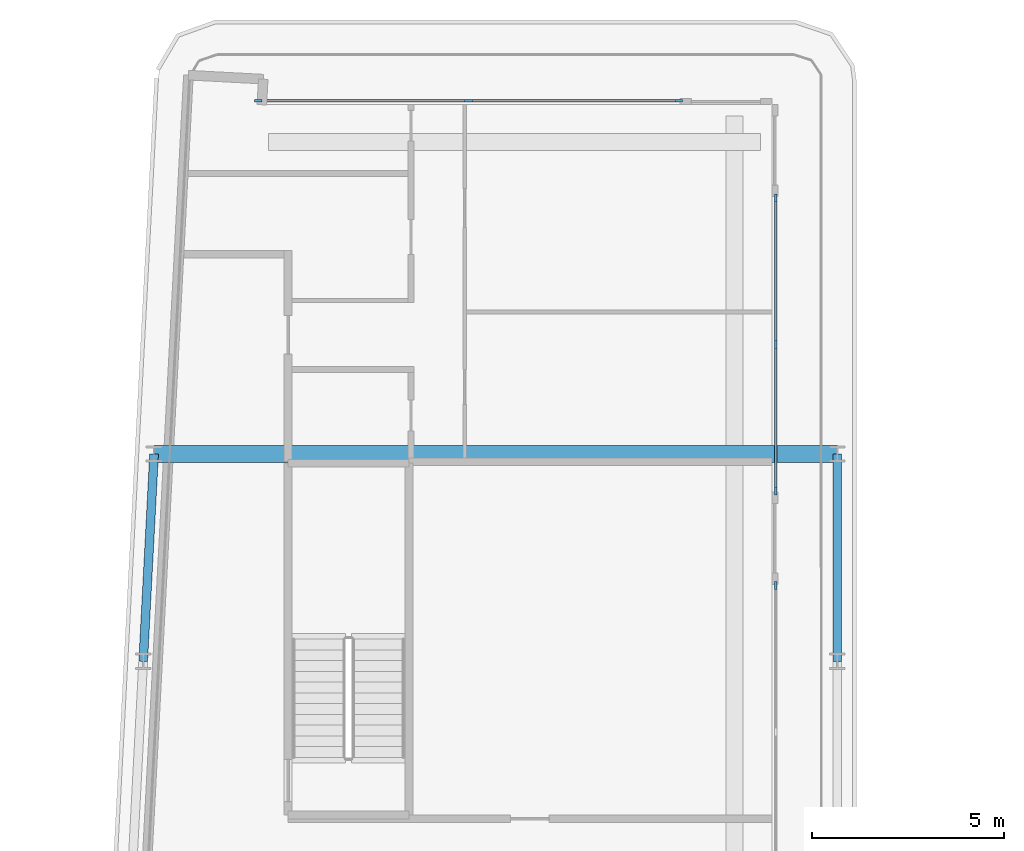
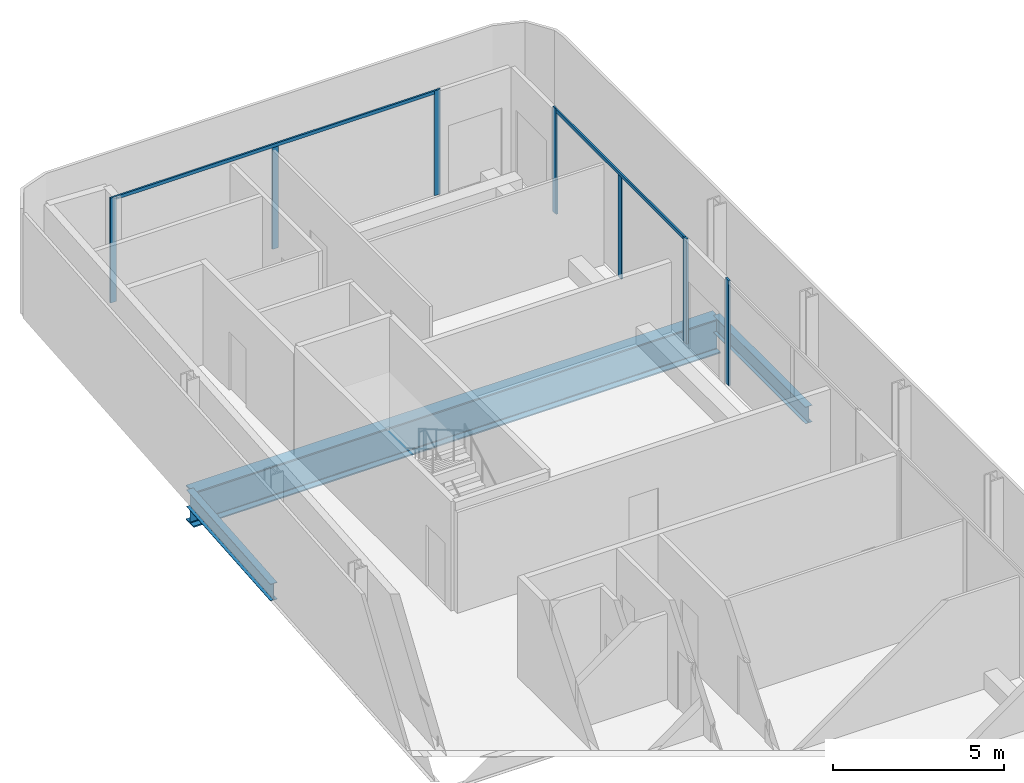
# One storey, part 8 of 24: 9 members, 3 beams, 3 elements without a shape of their own.
"""IFC4 building model written with IfcOpenShell, lengths in metres."""

from ifc_helpers import new_model, si_unit, direction, frame, origin, origin_2d, place, context, subcontext, project, spatial, rectangle, i_section, extrude, material, layer, layer_set, material_profile, profile_set, type_object, element, aggregate, save


model = new_model("IFC4")

# Units and contexts
model_context = context("Model", 3, precision=1e-05, world=origin(), true_north=direction((0.0, 1.0)))
body_context = subcontext(model_context, "Body", "Model", "MODEL_VIEW")
ifc_project = project(units=[si_unit("LENGTHUNIT", "METRE"), si_unit("AREAUNIT", "SQUARE_METRE"), si_unit("VOLUMEUNIT", "CUBIC_METRE"), si_unit("PLANEANGLEUNIT", "RADIAN"), si_unit("MASSUNIT", "GRAM", prefix="KILO")], contexts=[model_context])

# Site, building, storey
site_placement = place(None, origin())
site = spatial("IfcSite", under=ifc_project, at=site_placement, CompositionType="ELEMENT")
building_placement = place(site_placement, origin())
building = spatial("IfcBuilding", under=site, at=building_placement, Name="Kheshtan School and Residences Tower", CompositionType="ELEMENT")
storey_placement = place(building_placement, frame((0.0, 0.0, 160.39990234375)))
storey = spatial("IfcBuildingStorey", under=building, at=storey_placement, Name="L37", CompositionType="ELEMENT", Elevation=160.39990234375)

# Beams
ifc_material_1 = material(Name="Steel ASTM A992 Grade 50", Category="steel")
ifc_material_profile_1 = material_profile(ifc_material_1, i_section(OverallWidth=0.22802734375, OverallDepth=0.60302734375, WebThickness=0.010498046875, FlangeThickness=0.014892578125, FilletRadius=0.013427734375, at=origin_2d()), Name="W610x101")
ifc_profile_set_1 = profile_set([ifc_material_profile_1], Name="Steel ASTM A992 Grade 50")
beam_type_1 = type_object("IfcBeamType", Name="Beam SP2 W610x101 ASTM A992 Grade 50", PredefinedType="BEAM", material=ifc_profile_set_1)
beam_1_placement = place(storey_placement, frame((47.60009765625, 88.800048828125, -0.451416015625), z_axis=(0.0, -1.0, 0.0), x_axis=(1.0, 0.0, 0.0)))
element("IfcBeam", 1, at=beam_1_placement, inside=storey, type_object=beam_type_1, Name="Spandrel beam C099-C091", PredefinedType="BEAM", context=body_context, shape_type="SweptSolid", body=[
    extrude(i_section(OverallWidth=0.22802734375, OverallDepth=0.60302734375, WebThickness=0.010498046875, FlangeThickness=0.014892578125, FilletRadius=0.013427734375, at=origin_2d()), origin(), (0.0, 0.0, 1.0), 5.400146484375),
])
beam_2_placement = place(storey_placement, frame((29.527099609375, 83.39990234375, -0.451416015625), z_axis=(0.05250670125, 0.998620571751, 0.0), x_axis=(-0.998620571751, 0.05250670125, 0.0)))
element("IfcBeam", 2, at=beam_2_placement, inside=storey, type_object=beam_type_1, Name="Spandrel beam C090-C098", PredefinedType="BEAM", context=body_context, shape_type="SweptSolid", body=[
    extrude(i_section(OverallWidth=0.22802734375, OverallDepth=0.60302734375, WebThickness=0.010498046875, FlangeThickness=0.014892578125, FilletRadius=0.013427734375, at=origin_2d()), origin(), (0.0, 0.0, 1.0), 5.40771484375),
])

# Curtain wall, members
ifc_material_2 = material(Name="Clear low-e glass in thermally broken aluminium frame", Category="aluminium")
ifc_layer = layer(ifc_material_2, 0.199951171875)
ifc_layer_set = layer_set([ifc_layer], Name="Curtain wall CW-L")
curtain_wall_type = type_object("IfcCurtainWallType", Name="Curtain wall CW-L", PredefinedType="NOTDEFINED", material=ifc_layer_set)
curtain_wall_1_placement = place(storey_placement, origin())
curtain_wall_1 = element("IfcCurtainWall", 3, at=curtain_wall_1_placement, inside=storey, type_object=curtain_wall_type, Name="Curtain wall CWL7", PredefinedType="NOTDEFINED")
ifc_material_3 = material(Name="Thermally broken aluminium, dark bronze anodised", Category="aluminium")
ifc_material_profile_2 = material_profile(ifc_material_3, rectangle(XDim=0.06005859375, YDim=0.199951171875, at=origin_2d()), Name="CW-L mullion 60x200")
ifc_profile_set_2 = profile_set([ifc_material_profile_2], Name="Thermally broken aluminium, dark bronze anodised")
member_type_1 = type_object("IfcMemberType", Name="CW-L mullion 60x200", PredefinedType="MULLION", material=ifc_profile_set_2)
member_1_placement = place(storey_placement, frame((32.52197265625, 98.0, 0.0), z_axis=(0.0, 0.0, 1.0), x_axis=(0.0, 1.0, 0.0)))
member_1 = element("IfcMember", 4, at=member_1_placement, type_object=member_type_1, Name="CWL7 mullion 1", PredefinedType="MULLION", context=body_context, shape_type="SweptSolid", body=[
    extrude(rectangle(XDim=0.06005859375, YDim=0.199951171875, at=origin_2d()), origin(), (0.0, 0.0, 1.0), 3.75),
])
member_2_placement = place(storey_placement, frame((37.99609375, 98.0, 0.0), z_axis=(0.0, 0.0, 1.0), x_axis=(0.0, 1.0, 0.0)))
member_2 = element("IfcMember", 5, at=member_2_placement, type_object=member_type_1, Name="CWL7 mullion 2", PredefinedType="MULLION", context=body_context, shape_type="SweptSolid", body=[
    extrude(rectangle(XDim=0.06005859375, YDim=0.199951171875, at=origin_2d()), origin(), (0.0, 0.0, 1.0), 3.630126953125),
])
member_3_placement = place(storey_placement, frame((43.469970703125, 98.0, 0.0), z_axis=(0.0, 0.0, 1.0), x_axis=(0.0, 1.0, 0.0)))
member_3 = element("IfcMember", 6, at=member_3_placement, type_object=member_type_1, Name="CWL7 mullion 3", PredefinedType="MULLION", context=body_context, shape_type="SweptSolid", body=[
    extrude(rectangle(XDim=0.06005859375, YDim=0.199951171875, at=origin_2d()), origin(), (0.0, 0.0, 1.0), 3.75),
])

curtain_wall_2_placement = place(storey_placement, origin())
curtain_wall_2 = element("IfcCurtainWall", 7, at=curtain_wall_2_placement, inside=storey, type_object=curtain_wall_type, Name="Curtain wall CWL8", PredefinedType="NOTDEFINED")
member_4_placement = place(storey_placement, frame((46.0, 95.469970703125, 0.0), z_axis=(0.0, 0.0, 1.0), x_axis=(1.0, 0.0, 0.0)))
member_4 = element("IfcMember", 8, at=member_4_placement, type_object=member_type_1, Name="CWL8 mullion 1", PredefinedType="MULLION", context=body_context, shape_type="SweptSolid", body=[
    extrude(rectangle(XDim=0.06005859375, YDim=0.199951171875, at=origin_2d()), origin(), (0.0, 0.0, 1.0), 3.75),
])
member_5_placement = place(storey_placement, frame((46.0, 91.653076171875, 0.0), z_axis=(0.0, 0.0, 1.0), x_axis=(1.0, 0.0, 0.0)))
member_5 = element("IfcMember", 9, at=member_5_placement, type_object=member_type_1, Name="CWL8 mullion 2", PredefinedType="MULLION", context=body_context, shape_type="SweptSolid", body=[
    extrude(rectangle(XDim=0.06005859375, YDim=0.199951171875, at=origin_2d()), origin(), (0.0, 0.0, 1.0), 3.630126953125),
])
member_6_placement = place(storey_placement, frame((46.0, 87.8359375, 0.0), z_axis=(0.0, 0.0, 1.0), x_axis=(1.0, 0.0, 0.0)))
member_6 = element("IfcMember", 10, at=member_6_placement, type_object=member_type_1, Name="CWL8 mullion 3", PredefinedType="MULLION", context=body_context, shape_type="SweptSolid", body=[
    extrude(rectangle(XDim=0.06005859375, YDim=0.199951171875, at=origin_2d()), origin(), (0.0, 0.0, 1.0), 3.75),
])

# Curtain wall, member
curtain_wall_3_placement = place(storey_placement, origin())
curtain_wall_3 = element("IfcCurtainWall", 11, at=curtain_wall_3_placement, inside=storey, type_object=curtain_wall_type, Name="Curtain wall CWL8", PredefinedType="NOTDEFINED")
member_7_placement = place(storey_placement, frame((46.0, 85.3759765625, 0.0), z_axis=(0.0, 0.0, 1.0), x_axis=(1.0, 0.0, 0.0)))
member_7 = element("IfcMember", 12, at=member_7_placement, type_object=member_type_1, Name="CWL8 mullion 1", PredefinedType="MULLION", context=body_context, shape_type="SweptSolid", body=[
    extrude(rectangle(XDim=0.06005859375, YDim=0.199951171875, at=origin_2d()), origin(), (0.0, 0.0, 1.0), 3.75),
])
aggregate(curtain_wall_3, [member_7])

# Member
ifc_material_profile_3 = material_profile(ifc_material_3, rectangle(XDim=0.06005859375, YDim=0.1201171875, at=origin_2d()), Name="CW-L transom 60x120")
ifc_profile_set_3 = profile_set([ifc_material_profile_3], Name="Thermally broken aluminium, dark bronze anodised")
member_type_2 = type_object("IfcMemberType", Name="CW-L transom 60x120", PredefinedType="USERDEFINED", material=ifc_profile_set_3)
member_8_placement = place(storey_placement, frame((32.552001953125, 98.0, 3.690185546875), z_axis=(1.0, 0.0, 0.0), x_axis=(0.0, 1.0, 0.0)))
member_8 = element("IfcMember", 13, at=member_8_placement, type_object=member_type_2, Name="CWL7 transom 1", ObjectType="TRANSOM", PredefinedType="USERDEFINED", context=body_context, shape_type="SweptSolid", body=[
    extrude(rectangle(XDim=0.06005859375, YDim=0.1201171875, at=origin_2d()), origin(), (0.0, 0.0, 1.0), 10.887939453125),
])

aggregate(curtain_wall_1, [member_1, member_2, member_3, member_8])

member_9_placement = place(storey_placement, frame((46.0, 95.43994140625, 3.690185546875), z_axis=(0.0, -1.0, 0.0), x_axis=(1.0, 0.0, 0.0)))
member_9 = element("IfcMember", 14, at=member_9_placement, type_object=member_type_2, Name="CWL8 transom 1", ObjectType="TRANSOM", PredefinedType="USERDEFINED", context=body_context, shape_type="SweptSolid", body=[
    extrude(rectangle(XDim=0.06005859375, YDim=0.1201171875, at=origin_2d()), origin(), (0.0, 0.0, 1.0), 7.573974609375),
])

aggregate(curtain_wall_2, [member_4, member_5, member_6, member_9])

# Beam
ifc_material_profile_4 = material_profile(ifc_material_1, i_section(OverallWidth=0.449951171875, OverallDepth=1.25, WebThickness=0.02490234375, FlangeThickness=0.044921875, FilletRadius=0.03759765625, at=origin_2d()), Name="WWF1250x546")
ifc_profile_set_4 = profile_set([ifc_material_profile_4], Name="Steel ASTM A992 Grade 50")
beam_type_2 = type_object("IfcBeamType", Name="Transfer girder TG4 WWF1250x546 ASTM A992 Grade 50", PredefinedType="BEAM", material=ifc_profile_set_4)
beam_3_placement = place(storey_placement, frame((29.81103515625, 88.800048828125, -0.77490234375), z_axis=(1.0, 0.0, 0.0), x_axis=(0.0, 1.0, 0.0)))
element("IfcBeam", 15, at=beam_3_placement, inside=storey, type_object=beam_type_2, Name="Transfer girder C098-C099", PredefinedType="BEAM", context=body_context, shape_type="SweptSolid", body=[
    extrude(i_section(OverallWidth=0.449951171875, OverallDepth=1.25, WebThickness=0.02490234375, FlangeThickness=0.044921875, FilletRadius=0.03759765625, at=origin_2d()), origin(), (0.0, 0.0, 1.0), 17.7890625),
])

save(model, "model.ifc")
